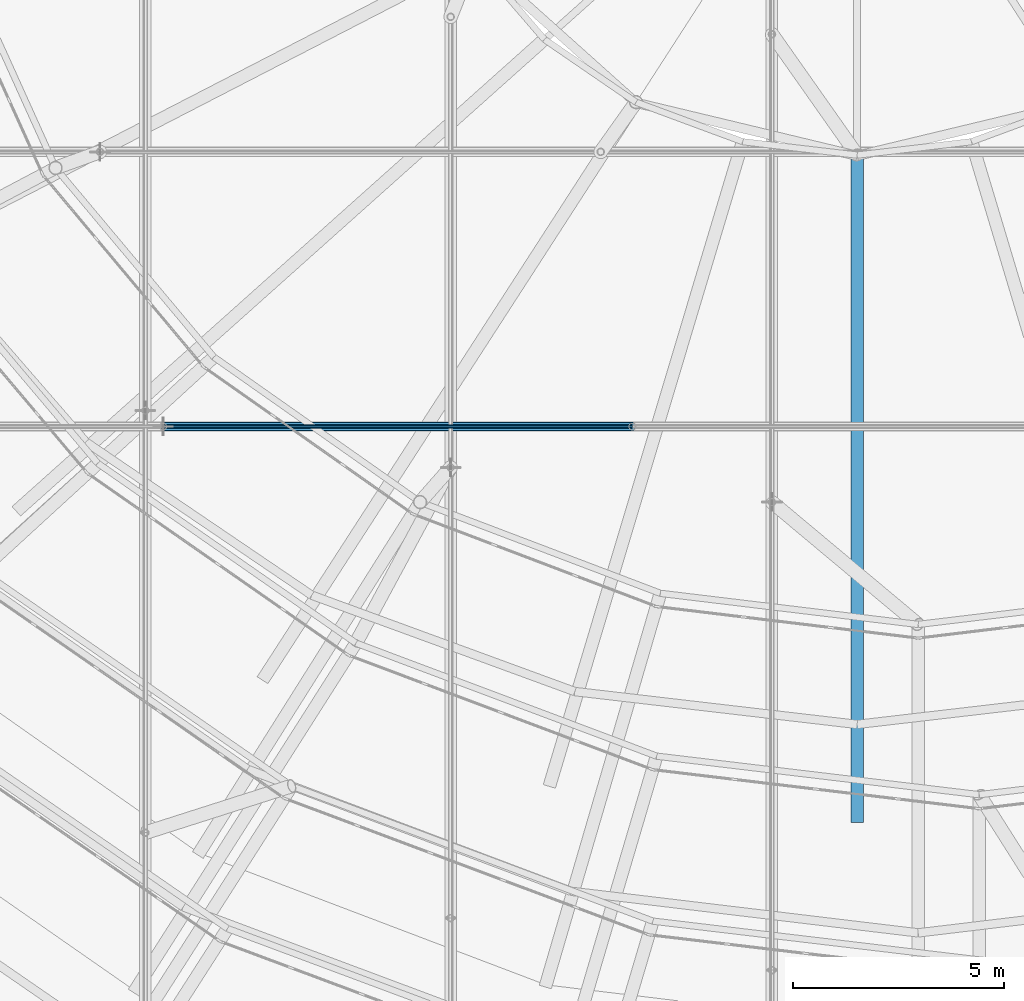
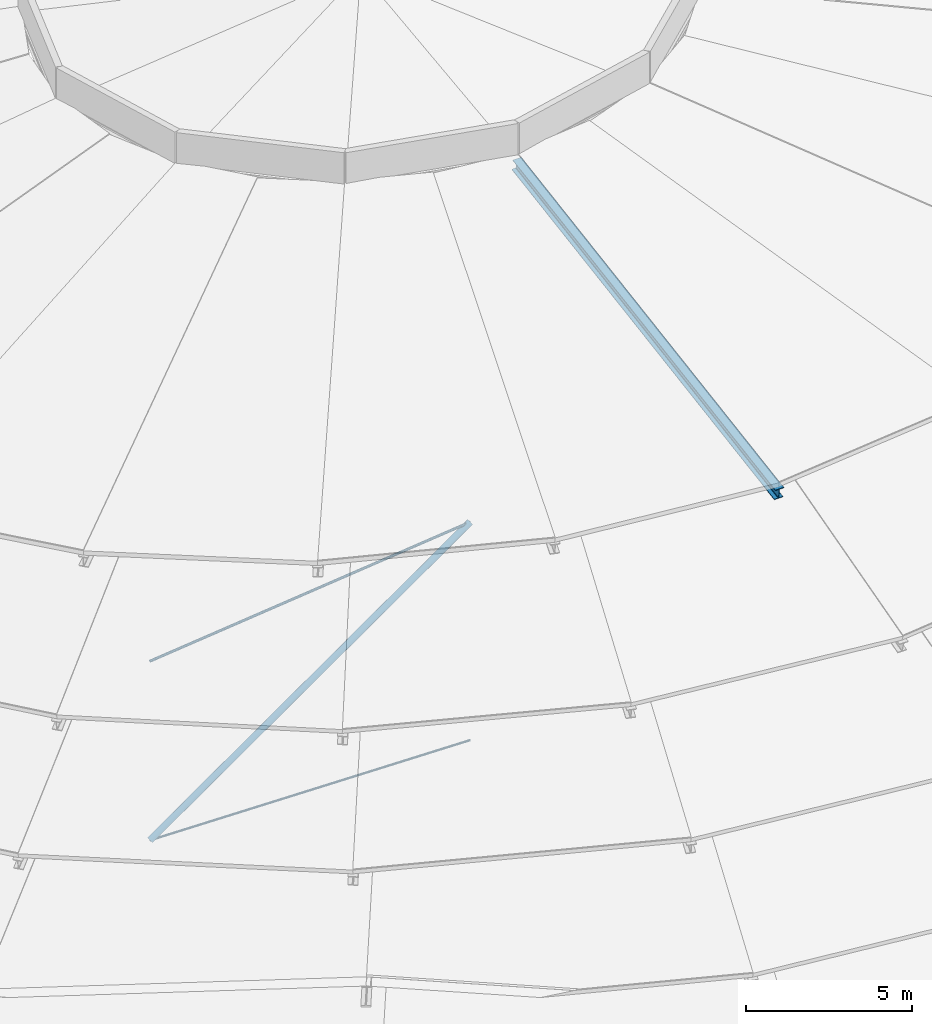
# One storey, part 19 of 173: 4 members.
"""IFC4 building model written with IfcOpenShell, lengths in metres."""

from ifc_helpers import new_model, si_unit, direction, frame, origin, origin_2d, place, context, subcontext, project, spatial, circle, hollow_circle, i_section, extrude, material, material_profile, profile_set, type_object, element, save


model = new_model("IFC4")

# Units and contexts
model_context = context("Model", 3, precision=1e-05, world=origin(), true_north=direction((0.0, 1.0)))
body_context = subcontext(model_context, "Body", "Model", "MODEL_VIEW")
ifc_project = project(units=[si_unit("LENGTHUNIT", "METRE"), si_unit("AREAUNIT", "SQUARE_METRE"), si_unit("VOLUMEUNIT", "CUBIC_METRE"), si_unit("PLANEANGLEUNIT", "RADIAN"), si_unit("MASSUNIT", "GRAM", prefix="KILO")], contexts=[model_context])

# Site, building, storey
site_placement = place(None, origin())
site = spatial("IfcSite", under=ifc_project, at=site_placement, CompositionType="ELEMENT")
building_placement = place(site_placement, origin())
building = spatial("IfcBuilding", under=site, at=building_placement, Name="Glasvene Arena", CompositionType="ELEMENT")
storey_placement = place(building_placement, frame((0.0, 0.0, 28.800048828125)))
storey = spatial("IfcBuildingStorey", under=building, at=storey_placement, Name="RF", CompositionType="ELEMENT", Elevation=28.800048828125)

# Members
ifc_material_1 = material(Name="High-strength steel spiral strand S460", Category="steel")
ifc_material_profile_1 = material_profile(ifc_material_1, circle(Radius=0.03759765625, at=origin_2d()), Name="LCSS D75")
ifc_profile_set_1 = profile_set([ifc_material_profile_1], Name="High-strength steel spiral strand S460")
member_type_1 = type_object("IfcMemberType", Name="MB-CABLE-75", PredefinedType="USERDEFINED", material=ifc_profile_set_1)
member_1_placement = place(storey_placement, frame((69.724853515625, 52.5703125, -2.112548828125), z_axis=(0.999812725831, 0.0, -0.019352345227), x_axis=(0.0, 1.0, 0.0)))
element("IfcMember", 1, at=member_1_placement, inside=storey, type_object=member_type_1, Name="Lower stabilization roof cable EW01-03", ObjectType="ROOF CABLE", PredefinedType="USERDEFINED", context=body_context, shape_type="SweptSolid", body=[
    extrude(circle(Radius=0.03759765625, at=origin_2d()), origin(), (0.0, 0.0, 1.0), 11.1396484375),
])
ifc_material_profile_2 = material_profile(ifc_material_1, circle(Radius=0.044921875, at=origin_2d()), Name="LCSS D90")
ifc_profile_set_2 = profile_set([ifc_material_profile_2], Name="High-strength steel spiral strand S460")
member_type_2 = type_object("IfcMemberType", Name="MB-CABLE-90", PredefinedType="USERDEFINED", material=ifc_profile_set_2)
member_2_placement = place(storey_placement, frame((69.724853515625, 52.5703125, 4.472900390625), z_axis=(0.994077762208, 0.0, 0.108671075651), x_axis=(0.0, 1.0, 0.0)))
element("IfcMember", 2, at=member_2_placement, inside=storey, type_object=member_type_2, Name="Upper lens roof cable EW01-03", ObjectType="ROOF CABLE", PredefinedType="USERDEFINED", context=body_context, shape_type="SweptSolid", body=[
    extrude(circle(Radius=0.044921875, at=origin_2d()), origin(), (0.0, 0.0, 1.0), 11.203857421875),
])
ifc_material_2 = material(Name="Steel S355J2", Category="steel")
ifc_material_profile_3 = material_profile(ifc_material_2, i_section(OverallWidth=0.300048828125, OverallDepth=0.39990234375, WebThickness=0.013427734375, FlangeThickness=0.02392578125, FilletRadius=0.027099609375, at=origin_2d()), Name="HEB 400")
ifc_profile_set_3 = profile_set([ifc_material_profile_3], Name="Steel S355J2")
member_type_3 = type_object("IfcMemberType", Name="MB-CHORD-HEB400", PredefinedType="CHORD", material=ifc_profile_set_3)
member_3_placement = place(storey_placement, frame((86.199951171875, 43.199951171875, 10.550048828125), z_axis=(0.0, 0.987254331194, 0.159150512217), x_axis=(-1.0, 0.0, 0.0)))
element("IfcMember", 3, at=member_3_placement, inside=storey, type_object=member_type_3, Name="Petal ring 5 radial rib 19", PredefinedType="CHORD", context=body_context, shape_type="SweptSolid", body=[
    extrude(i_section(OverallWidth=0.300048828125, OverallDepth=0.39990234375, WebThickness=0.013427734375, FlangeThickness=0.02392578125, FilletRadius=0.027099609375, at=origin_2d()), origin(), (0.0, 0.0, 1.0), 16.021240234375),
])
ifc_material_profile_4 = material_profile(ifc_material_2, hollow_circle(Radius=0.109619140625, WallThickness=0.010009765625, at=origin_2d()), Name="CHS 219.1x10.0")
ifc_profile_set_4 = profile_set([ifc_material_profile_4], Name="Steel S355J2")
member_type_4 = type_object("IfcMemberType", Name="MB-WEB-CHS219", PredefinedType="BRACE", material=ifc_profile_set_4)
member_4_placement = place(storey_placement, frame((69.724853515625, 52.5703125, -2.112548828125), z_axis=(0.818998222462, 0.0, 0.573796054015), x_axis=(0.0, 1.0, 0.0)))
element("IfcMember", 4, at=member_4_placement, inside=storey, type_object=member_type_4, Name="Cable-truss diagonal web strut EW01-03", PredefinedType="BRACE", context=body_context, shape_type="SweptSolid", body=[
    extrude(hollow_circle(Radius=0.109619140625, WallThickness=0.010009765625, at=origin_2d()), origin(), (0.0, 0.0, 1.0), 13.598876953125),
])

save(model, "model.ifc")
